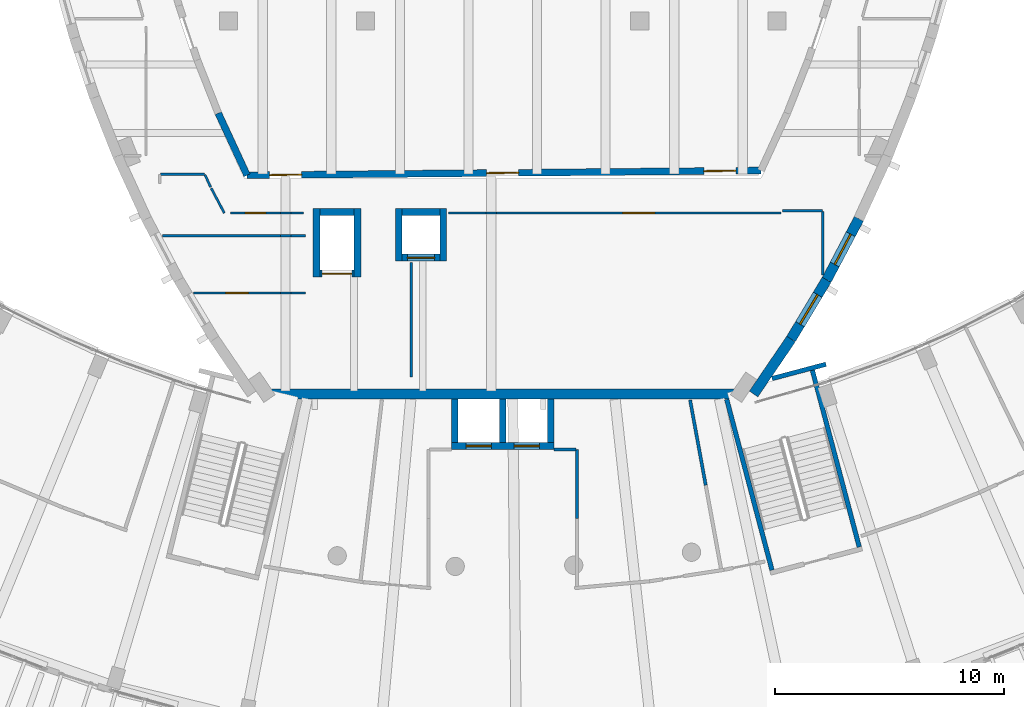
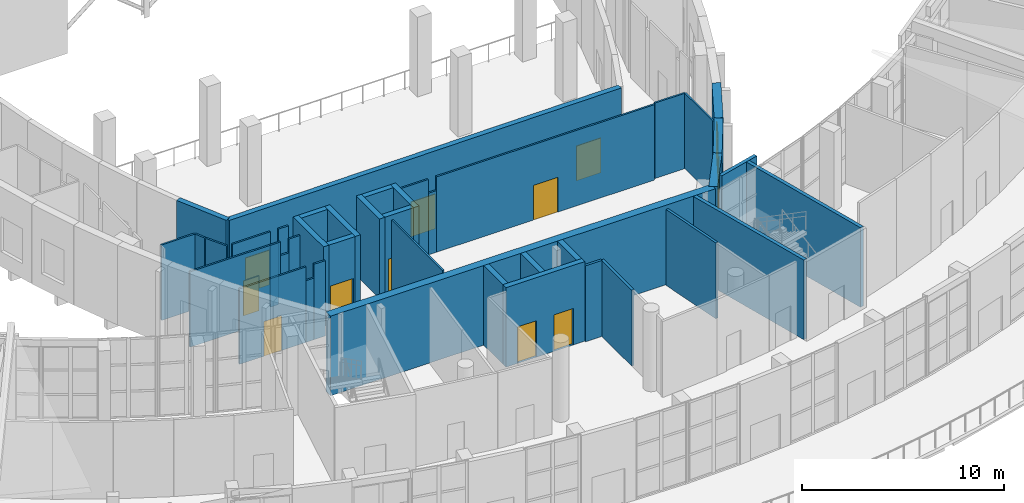
# One storey, part 58 of 93: 42 walls, 10 doors, 2 windows, 12 openings.
"""IFC4 building model written with IfcOpenShell, lengths in metres."""

from ifc_helpers import new_model, si_unit, direction, frame, frame_2d, origin, place, context, subcontext, project, spatial, rectangle, extrude, material, layer, layer_set, type_object, element, fill, save


model = new_model("IFC4")

# Units and contexts
model_context = context("Model", 3, precision=1e-05, world=origin(), true_north=direction((0.0, 1.0)))
body_context = subcontext(model_context, "Body", "Model", "MODEL_VIEW")
ifc_project = project(units=[si_unit("LENGTHUNIT", "METRE"), si_unit("AREAUNIT", "SQUARE_METRE"), si_unit("VOLUMEUNIT", "CUBIC_METRE"), si_unit("PLANEANGLEUNIT", "RADIAN"), si_unit("MASSUNIT", "GRAM", prefix="KILO")], contexts=[model_context])

# Site, building, storey
site_placement = place(None, origin())
site = spatial("IfcSite", under=ifc_project, at=site_placement, CompositionType="ELEMENT")
building_placement = place(site_placement, origin())
building = spatial("IfcBuilding", under=site, at=building_placement, Name="Tide Square Theatres", CompositionType="ELEMENT")
storey_placement = place(building_placement, frame((0.0, 0.0, 5.39990234375)))
storey = spatial("IfcBuildingStorey", under=building, at=storey_placement, Name="L01", CompositionType="ELEMENT", Elevation=5.39990234375)

# Walls
ifc_material_1 = material(Name="Gypsum board on steel studs", Category="steel")
ifc_layer_1 = layer(ifc_material_1, 0.10009765625)
ifc_layer_set_1 = layer_set([ifc_layer_1], Name="Gypsum board on steel studs")
wall_type_1 = type_object("IfcWallType", Name="Partition 100 thick", PredefinedType="PARTITIONING", material=ifc_layer_set_1)
wall_1_placement = place(storey_placement, frame((69.033203125, 33.199951171875, 0.0), z_axis=(0.0, 0.0, 1.0), x_axis=(1.0, 0.0, 0.0)))
element("IfcWall", 1, at=wall_1_placement, inside=storey, type_object=wall_type_1, Name="Partition", PredefinedType="PARTITIONING", context=body_context, shape_type="SweptSolid", body=[
    extrude(rectangle(XDim=1.9140625, YDim=0.10009765625, at=frame_2d((0.95703125, 0.0))), origin(), (0.0, 0.0, 1.0), 4.550048828125),
])
wall_2_placement = place(storey_placement, frame((75.3798828125, 30.5, 0.0), z_axis=(0.0, 0.0, 1.0), x_axis=(-1.0, 0.0, 0.0)))
element("IfcWall", 2, at=wall_2_placement, inside=storey, type_object=wall_type_1, Name="Partition", PredefinedType="PARTITIONING", context=body_context, shape_type="SweptSolid", body=[
    extrude(rectangle(XDim=0.64990234375, YDim=0.10009765625, at=frame_2d((0.324951171875, 0.0))), origin(), (0.0, 0.0, 1.0), 4.550048828125),
])
wall_3_placement = place(storey_placement, frame((74.72998046875, 30.5, 0.0), z_axis=(0.0, 0.0, 1.0), x_axis=(-1.0, 0.0, 0.0)))
element("IfcWall", 3, at=wall_3_placement, inside=storey, type_object=wall_type_1, Name="Partition", PredefinedType="PARTITIONING", context=body_context, shape_type="SweptSolid", body=[
    extrude(rectangle(XDim=0.4599609375, YDim=0.10009765625, at=frame_2d((0.22998046875, 0.0))), origin(), (0.0, 0.0, 1.0), 3.72021484375),
])
wall_4_placement = place(storey_placement, frame((74.27001953125, 30.5, 0.0), z_axis=(0.0, 0.0, 1.0), x_axis=(-1.0, 0.0, 0.0)))
element("IfcWall", 4, at=wall_4_placement, inside=storey, type_object=wall_type_1, Name="Partition", PredefinedType="PARTITIONING", context=body_context, shape_type="SweptSolid", body=[
    extrude(rectangle(XDim=5.160888671875, YDim=0.10009765625, at=frame_2d((2.58056640625, 0.0))), origin(), (0.0, 0.0, 1.0), 4.550048828125),
])
wall_5_placement = place(storey_placement, frame((75.376953125, 28.0, 0.0), z_axis=(0.0, 0.0, 1.0), x_axis=(-1.0, 0.0, 0.0)))
element("IfcWall", 5, at=wall_5_placement, inside=storey, type_object=wall_type_1, Name="Partition", PredefinedType="PARTITIONING", context=body_context, shape_type="SweptSolid", body=[
    extrude(rectangle(XDim=0.64697265625, YDim=0.10009765625, at=frame_2d((0.323486328125, 0.0))), origin(), (0.0, 0.0, 1.0), 4.550048828125),
])
wall_6_placement = place(storey_placement, frame((74.72998046875, 28.0, 0.0), z_axis=(0.0, 0.0, 1.0), x_axis=(-1.0, 0.0, 0.0)))
element("IfcWall", 6, at=wall_6_placement, inside=storey, type_object=wall_type_1, Name="Partition", PredefinedType="PARTITIONING", context=body_context, shape_type="SweptSolid", body=[
    extrude(rectangle(XDim=0.4599609375, YDim=0.10009765625, at=frame_2d((0.22998046875, 0.0))), origin(), (0.0, 0.0, 1.0), 3.72021484375),
])

# Wall, opening, door
wall_7_placement = place(storey_placement, frame((74.27001953125, 28.0, 0.0), z_axis=(0.0, 0.0, 1.0), x_axis=(-1.0, 0.0, 0.0)))
wall_7 = element("IfcWall", 7, at=wall_7_placement, inside=storey, type_object=wall_type_1, Name="Partition", PredefinedType="PARTITIONING", context=body_context, shape_type="SweptSolid", body=[
    extrude(rectangle(XDim=3.790771484375, YDim=0.10009765625, at=frame_2d((1.8955078125, 0.0))), origin(), (0.0, 0.0, 1.0), 4.550048828125),
])
opening_1_placement = place(wall_7_placement, frame((1.395263671875, 0.0, 0.0)))
opening_1 = element("IfcOpeningElement", 8, at=opening_1_placement, cuts=wall_7, Name="Opening M01-11", PredefinedType="OPENING", context=body_context, shape_type="SweptSolid", body=[
    extrude(rectangle(XDim=1.0, YDim=2.10009765625, at=frame_2d((0.5, 1.050048828125))), frame((0.0, 0.06005859375, 0.0), z_axis=(0.0, -1.0, 0.0), x_axis=(1.0, 0.0, 0.0)), (0.0, 0.0, 1.0), 0.1201171875),
])
ifc_material_2 = material(Name="Hardwood timber", Category="wood")
door_type_1 = type_object("IfcDoorType", Name="Door 1000 x 2100 single leaf", OperationType="NOTDEFINED", PredefinedType="DOOR", material=ifc_material_2)
door_1_placement = place(opening_1_placement, frame((1.0, 0.0, 0.0), z_axis=(0.0, 0.0, 1.0), x_axis=(-1.0, 0.0, 0.0)))
door_1 = element("IfcDoor", 9, at=door_1_placement, inside=storey, type_object=door_type_1, Name="Accessible Toilet Dress Circle door", OperationType="SINGLE_SWING_LEFT", OverallHeight=2.10009765625, OverallWidth=1.0, PredefinedType="DOOR", context=body_context, shape_type="SweptSolid", body=[
    extrude(rectangle(XDim=1.0, YDim=2.10009765625, at=frame_2d((0.5, 1.050048828125))), frame((0.0, 0.02490234375, 0.0), z_axis=(0.0, -1.0, 0.0), x_axis=(1.0, 0.0, 0.0)), (0.0, 0.0, 1.0), 0.050048828125),
])
fill(opening_1, door_1)

# Walls
wall_8_placement = place(storey_placement, frame((70.97412109375, 33.176513671875, 0.0), z_axis=(0.0, 0.0, 1.0), x_axis=(0.416055955945, -0.909339013527, 0.0)))
element("IfcWall", 10, at=wall_8_placement, inside=storey, type_object=wall_type_1, Name="Partition", PredefinedType="PARTITIONING", context=body_context, shape_type="SweptSolid", body=[
    extrude(rectangle(XDim=0.603759765625, YDim=0.10009765625, at=frame_2d((0.3017578125, 0.0))), origin(), (0.0, 0.0, 1.0), 4.550048828125),
])
wall_9_placement = place(storey_placement, frame((71.248779296875, 32.582763671875, 0.0), z_axis=(0.0, 0.0, 1.0), x_axis=(0.466970962101, -0.884272650575, 0.0)))
element("IfcWall", 11, at=wall_9_placement, inside=storey, type_object=wall_type_1, Name="Partition", PredefinedType="PARTITIONING", context=body_context, shape_type="SweptSolid", body=[
    extrude(rectangle(XDim=1.223876953125, YDim=0.10009765625, at=frame_2d((0.61181640625, 0.0))), origin(), (0.0, 0.0, 1.0), 4.550048828125),
])

# Wall, opening, door
wall_10_placement = place(storey_placement, frame((72.098388671875, 31.5, 0.0), z_axis=(0.0, 0.0, 1.0), x_axis=(1.0, 0.0, 0.0)))
wall_10 = element("IfcWall", 12, at=wall_10_placement, inside=storey, type_object=wall_type_1, Name="Partition", PredefinedType="PARTITIONING", context=body_context, shape_type="SweptSolid", body=[
    extrude(rectangle(XDim=2.171630859375, YDim=0.10009765625, at=frame_2d((1.0859375, 0.0))), origin(), (0.0, 0.0, 1.0), 4.550048828125),
])
opening_2_placement = place(wall_10_placement, frame((0.6357421875, 0.0, 0.0)))
opening_2 = element("IfcOpeningElement", 13, at=opening_2_placement, cuts=wall_10, Name="Opening M01-10", PredefinedType="OPENING", context=body_context, shape_type="SweptSolid", body=[
    extrude(rectangle(XDim=0.89990234375, YDim=2.10009765625, at=frame_2d((0.449951171875, 1.050048828125))), frame((0.0, 0.06005859375, 0.0), z_axis=(0.0, -1.0, 0.0), x_axis=(1.0, 0.0, 0.0)), (0.0, 0.0, 1.0), 0.1201171875),
])
ifc_material_3 = material(Name="Hardwood timber", Category="wood")
door_type_2 = type_object("IfcDoorType", Name="Door 900 x 2100 single leaf", OperationType="NOTDEFINED", PredefinedType="DOOR", material=ifc_material_3)
door_2_placement = place(opening_2_placement, frame((0.89990234375, 0.0, 0.0), z_axis=(0.0, 0.0, 1.0), x_axis=(-1.0, 0.0, 0.0)))
door_2 = element("IfcDoor", 14, at=door_2_placement, inside=storey, type_object=door_type_2, Name="Women's Toilets Dress Circle door", OperationType="SINGLE_SWING_LEFT", OverallHeight=2.10009765625, OverallWidth=0.89990234375, PredefinedType="DOOR", context=body_context, shape_type="SweptSolid", body=[
    extrude(rectangle(XDim=0.89990234375, YDim=2.10009765625, at=frame_2d((0.449951171875, 1.050048828125))), frame((0.0, 0.02490234375, 0.0), z_axis=(0.0, -1.0, 0.0), x_axis=(1.0, 0.0, 0.0)), (0.0, 0.0, 1.0), 0.050048828125),
])
fill(opening_2, door_2)

# Walls
wall_11_placement = place(storey_placement, frame((74.27001953125, 31.5, 0.0), z_axis=(0.0, 0.0, 1.0), x_axis=(1.0, 0.0, 0.0)))
element("IfcWall", 15, at=wall_11_placement, inside=storey, type_object=wall_type_1, Name="Partition", PredefinedType="PARTITIONING", context=body_context, shape_type="SweptSolid", body=[
    extrude(rectangle(XDim=0.4599609375, YDim=0.10009765625, at=frame_2d((0.22998046875, 0.0))), origin(), (0.0, 0.0, 1.0), 3.72021484375),
])
wall_12_placement = place(storey_placement, frame((74.72998046875, 31.5, 0.0), z_axis=(0.0, 0.0, 1.0), x_axis=(1.0, 0.0, 0.0)))
element("IfcWall", 16, at=wall_12_placement, inside=storey, type_object=wall_type_1, Name="Partition", PredefinedType="PARTITIONING", context=body_context, shape_type="SweptSolid", body=[
    extrude(rectangle(XDim=0.557861328125, YDim=0.10009765625, at=frame_2d((0.27880859375, 0.0))), origin(), (0.0, 0.0, 1.0), 4.550048828125),
])
wall_13_placement = place(storey_placement, frame((80.0, 24.317626953125, 0.0), z_axis=(0.0, 0.0, 1.0), x_axis=(0.0, 1.0, 0.0)))
element("IfcWall", 17, at=wall_13_placement, inside=storey, type_object=wall_type_1, Name="Partition", PredefinedType="PARTITIONING", context=body_context, shape_type="SweptSolid", body=[
    extrude(rectangle(XDim=5.012451171875, YDim=0.10009765625, at=frame_2d((2.50634765625, 0.0))), origin(), (0.0, 0.0, 1.0), 4.550048828125),
])
wall_14_placement = place(storey_placement, frame((81.6201171875, 31.5, 0.0), z_axis=(0.0, 0.0, 1.0), x_axis=(1.0, 0.0, 0.0)))
element("IfcWall", 18, at=wall_14_placement, inside=storey, type_object=wall_type_1, Name="Partition", PredefinedType="PARTITIONING", context=body_context, shape_type="SweptSolid", body=[
    extrude(rectangle(XDim=1.64990234375, YDim=0.10009765625, at=frame_2d((0.824951171875, 0.0))), origin(), (0.0, 0.0, 1.0), 4.550048828125),
])
wall_15_placement = place(storey_placement, frame((83.27001953125, 31.5, 0.0), z_axis=(0.0, 0.0, 1.0), x_axis=(1.0, 0.0, 0.0)))
element("IfcWall", 19, at=wall_15_placement, inside=storey, type_object=wall_type_1, Name="Partition", PredefinedType="PARTITIONING", context=body_context, shape_type="SweptSolid", body=[
    extrude(rectangle(XDim=0.4599609375, YDim=0.10009765625, at=frame_2d((0.22998046875, 0.0))), origin(), (0.0, 0.0, 1.0), 3.72021484375),
])

# Wall, opening, door
wall_16_placement = place(storey_placement, frame((83.72998046875, 31.5, 0.0), z_axis=(0.0, 0.0, 1.0), x_axis=(1.0, 0.0, 0.0)))
wall_16 = element("IfcWall", 20, at=wall_16_placement, inside=storey, type_object=wall_type_1, Name="Partition", PredefinedType="PARTITIONING", context=body_context, shape_type="SweptSolid", body=[
    extrude(rectangle(XDim=12.44921875, YDim=0.10009765625, at=frame_2d((6.224609375, 0.0))), origin(), (0.0, 0.0, 1.0), 4.550048828125),
])
opening_3_placement = place(wall_16_placement, frame((5.524658203125, 0.0, 0.0)))
opening_3 = element("IfcOpeningElement", 21, at=opening_3_placement, cuts=wall_16, Name="Opening M01-09", PredefinedType="OPENING", context=body_context, shape_type="SweptSolid", body=[
    extrude(rectangle(XDim=1.39990234375, YDim=2.10009765625, at=frame_2d((0.699951171875, 1.050048828125))), frame((0.0, 0.06005859375, 0.0), z_axis=(0.0, -1.0, 0.0), x_axis=(1.0, 0.0, 0.0)), (0.0, 0.0, 1.0), 0.1201171875),
])
ifc_material_4 = material(Name="Hardwood timber", Category="wood")
door_type_3 = type_object("IfcDoorType", Name="Door 1400 x 2100 double leaf", OperationType="DOUBLE_DOOR_SINGLE_SWING", PredefinedType="DOOR", material=ifc_material_4)
door_3_placement = place(opening_3_placement, origin())
door_3 = element("IfcDoor", 22, at=door_3_placement, inside=storey, type_object=door_type_3, Name="Dress Circle Bar door", OperationType="DOUBLE_DOOR_SINGLE_SWING", OverallHeight=2.10009765625, OverallWidth=1.39990234375, PredefinedType="DOOR", context=body_context, shape_type="SweptSolid", body=[
    extrude(rectangle(XDim=1.39990234375, YDim=2.10009765625, at=frame_2d((0.699951171875, 1.050048828125))), frame((0.0, 0.02490234375, 0.0), z_axis=(0.0, -1.0, 0.0), x_axis=(1.0, 0.0, 0.0)), (0.0, 0.0, 1.0), 0.050048828125),
])
fill(opening_3, door_3)

# Walls
wall_17_placement = place(storey_placement, frame((96.24755859375, 31.60009765625, 0.0), z_axis=(0.0, 0.0, 1.0), x_axis=(1.0, 0.0, 0.0)))
element("IfcWall", 23, at=wall_17_placement, inside=storey, type_object=wall_type_1, Name="Partition", PredefinedType="PARTITIONING", context=body_context, shape_type="SweptSolid", body=[
    extrude(rectangle(XDim=1.729248046875, YDim=0.10009765625, at=frame_2d((0.86474609375, 0.0))), origin(), (0.0, 0.0, 1.0), 4.550048828125),
])
wall_18_placement = place(storey_placement, frame((98.0, 31.56689453125, 0.0), z_axis=(0.0, 0.0, 1.0), x_axis=(0.0, -1.0, 0.0)))
element("IfcWall", 24, at=wall_18_placement, inside=storey, type_object=wall_type_1, Name="Partition", PredefinedType="PARTITIONING", context=body_context, shape_type="SweptSolid", body=[
    extrude(rectangle(XDim=2.770751953125, YDim=0.10009765625, at=frame_2d((1.38525390625, 0.0))), origin(), (0.0, 0.0, 1.0), 4.550048828125),
])
ifc_material_5 = material(Name="Concrete masonry block", Category="masonry")
ifc_layer_2 = layer(ifc_material_5, 0.139892578125)
ifc_layer_set_2 = layer_set([ifc_layer_2], Name="Concrete masonry block")
wall_type_2 = type_object("IfcWallType", Name="Partition 140 thick", PredefinedType="PARTITIONING", material=ifc_layer_set_2)
wall_19_placement = place(storey_placement, frame((92.1962890625, 23.317626953125, 0.0), z_axis=(0.0, 0.0, 1.0), x_axis=(0.180428728445, -0.983588061107, 0.0)))
element("IfcWall", 25, at=wall_19_placement, inside=storey, type_object=wall_type_2, Name="Foyer room partition", PredefinedType="PARTITIONING", context=body_context, shape_type="SweptSolid", body=[
    extrude(rectangle(XDim=3.7861328125, YDim=0.139892578125, at=frame_2d((1.89306640625, 0.0))), origin(), (0.0, 0.0, 1.0), 4.580078125),
])
wall_20_placement = place(storey_placement, frame((87.25, 18.13037109375, 0.0), z_axis=(0.0, 0.0, 1.0), x_axis=(0.0, 1.0, 0.0)))
element("IfcWall", 26, at=wall_20_placement, inside=storey, type_object=wall_type_2, Name="Foyer room partition", PredefinedType="PARTITIONING", context=body_context, shape_type="SweptSolid", body=[
    extrude(rectangle(XDim=3.02734375, YDim=0.139892578125, at=frame_2d((1.513671875, 0.0))), origin(), (0.0, 0.0, 1.0), 4.580078125),
])
wall_21_placement = place(storey_placement, frame((86.25, 21.15771484375, 0.0), z_axis=(0.0, 0.0, 1.0), x_axis=(1.0, 0.0, 0.0)))
element("IfcWall", 27, at=wall_21_placement, inside=storey, type_object=wall_type_2, Name="Foyer room partition", PredefinedType="PARTITIONING", context=body_context, shape_type="SweptSolid", body=[
    extrude(rectangle(XDim=0.949951171875, YDim=0.139892578125, at=frame_2d((0.47509765625, 0.0))), origin(), (0.0, 0.0, 1.0), 4.580078125),
])
ifc_material_6 = material(Name="Concrete C40", Category="concrete")
ifc_layer_3 = layer(ifc_material_6, 0.449951171875)
ifc_layer_set_3 = layer_set([ifc_layer_3], Name="Concrete C40")
wall_type_3 = type_object("IfcWallType", Name="RC curved wall 450 thick", PredefinedType="SOLIDWALL", material=ifc_layer_set_3)
wall_22_placement = place(storey_placement, frame((94.97412109375, 23.58251953125, 0.0), z_axis=(0.0, 0.0, 1.0), x_axis=(0.5629642644, 0.826481238147, 0.0)))
element("IfcWall", 28, at=wall_22_placement, inside=storey, type_object=wall_type_3, Name="Main Theatre perimeter wall", PredefinedType="SOLIDWALL", context=body_context, shape_type="SweptSolid", body=[
    extrude(rectangle(XDim=2.908203125, YDim=0.449951171875, at=frame_2d((1.4541015625, 0.0))), origin(), (0.0, 0.0, 1.0), 4.800048828125),
])

# Wall, opening, window
wall_23_placement = place(storey_placement, frame((96.611328125, 25.986083984375, 0.0), z_axis=(0.0, 0.0, 1.0), x_axis=(0.515636119523, 0.856807675177, 0.0)))
wall_23 = element("IfcWall", 29, at=wall_23_placement, inside=storey, type_object=wall_type_3, Name="Main Theatre perimeter wall", PredefinedType="SOLIDWALL", context=body_context, shape_type="SweptSolid", body=[
    extrude(rectangle(XDim=3.021240234375, YDim=0.449951171875, at=frame_2d((1.5107421875, 0.0))), origin(), (0.0, 0.0, 1.0), 4.800048828125),
])
opening_4_placement = place(wall_23_placement, frame((0.760498046875, 0.0, 0.89990234375)))
opening_4 = element("IfcOpeningElement", 30, at=opening_4_placement, cuts=wall_23, Name="Opening WN-01", PredefinedType="OPENING", context=body_context, shape_type="SweptSolid", body=[
    extrude(rectangle(XDim=1.5, YDim=2.10009765625, at=frame_2d((0.75, 1.050048828125))), frame((0.0, 0.23486328125, 0.0), z_axis=(0.0, -1.0, 0.0), x_axis=(1.0, 0.0, 0.0)), (0.0, 0.0, 1.0), 0.469970703125),
])
ifc_material_7 = material(Name="Aluminium with laminated glass", Category="aluminium")
window_type = type_object("IfcWindowType", Name="Window 1500 x 2100", PartitioningType="SINGLE_PANEL", PredefinedType="WINDOW", material=ifc_material_7)
window_1_placement = place(opening_4_placement, origin())
window_1 = element("IfcWindow", 31, at=window_1_placement, inside=storey, type_object=window_type, Name="Main Theatre window", OverallHeight=2.10009765625, OverallWidth=1.5, PartitioningType="SINGLE_PANEL", PredefinedType="WINDOW", context=body_context, shape_type="SweptSolid", body=[
    extrude(rectangle(XDim=1.5, YDim=2.10009765625, at=frame_2d((0.75, 1.050048828125))), frame((0.0, 0.030029296875, 0.0), z_axis=(0.0, -1.0, 0.0), x_axis=(1.0, 0.0, 0.0)), (0.0, 0.0, 1.0), 0.06005859375),
])
fill(opening_4, window_1)

wall_24_placement = place(storey_placement, frame((98.169189453125, 28.57470703125, 0.0), z_axis=(0.0, 0.0, 1.0), x_axis=(0.466728769487, 0.884400506407, 0.0)))
wall_24 = element("IfcWall", 32, at=wall_24_placement, inside=storey, type_object=wall_type_3, Name="Main Theatre perimeter wall", PredefinedType="SOLIDWALL", context=body_context, shape_type="SweptSolid", body=[
    extrude(rectangle(XDim=3.020751953125, YDim=0.449951171875, at=frame_2d((1.51025390625, 0.0))), origin(), (0.0, 0.0, 1.0), 4.800048828125),
])
opening_5_placement = place(wall_24_placement, frame((0.760498046875, 0.0, 0.89990234375)))
opening_5 = element("IfcOpeningElement", 33, at=opening_5_placement, cuts=wall_24, Name="Opening WN-01", PredefinedType="OPENING", context=body_context, shape_type="SweptSolid", body=[
    extrude(rectangle(XDim=1.5, YDim=2.10009765625, at=frame_2d((0.75, 1.050048828125))), frame((0.0, 0.23486328125, 0.0), z_axis=(0.0, -1.0, 0.0), x_axis=(1.0, 0.0, 0.0)), (0.0, 0.0, 1.0), 0.469970703125),
])
window_2_placement = place(opening_5_placement, origin())
window_2 = element("IfcWindow", 34, at=window_2_placement, inside=storey, type_object=window_type, Name="Main Theatre window", OverallHeight=2.10009765625, OverallWidth=1.5, PartitioningType="SINGLE_PANEL", PredefinedType="WINDOW", context=body_context, shape_type="SweptSolid", body=[
    extrude(rectangle(XDim=1.5, YDim=2.10009765625, at=frame_2d((0.75, 1.050048828125))), frame((0.0, 0.030029296875, 0.0), z_axis=(0.0, -1.0, 0.0), x_axis=(1.0, 0.0, 0.0)), (0.0, 0.0, 1.0), 0.06005859375),
])
fill(opening_5, window_2)

# Walls
wall_25_placement = place(storey_placement, frame((73.02587890625, 23.58251953125, 0.0), z_axis=(0.0, 0.0, 1.0), x_axis=(1.0, 0.0, 0.0)))
element("IfcWall", 35, at=wall_25_placement, inside=storey, type_object=wall_type_3, Name="Main Theatre perimeter wall", PredefinedType="SOLIDWALL", context=body_context, shape_type="SweptSolid", body=[
    extrude(rectangle(XDim=21.9482421875, YDim=0.449951171875, at=frame_2d((10.97412109375, 0.0))), origin(), (0.0, 0.0, 1.0), 4.800048828125),
])
ifc_material_8 = material(Name="Concrete C40", Category="concrete")
ifc_layer_4 = layer(ifc_material_8, 0.199951171875)
ifc_layer_set_4 = layer_set([ifc_layer_4], Name="Concrete C40")
wall_type_4 = type_object("IfcWallType", Name="RC shear wall 200 thick", PredefinedType="SHEAR", material=ifc_layer_set_4)
wall_26_placement = place(storey_placement, frame((98.138427734375, 24.883544921875, 0.0), z_axis=(0.0, 0.0, 1.0), x_axis=(-0.966582812495, -0.256354572009, 0.0)))
element("IfcWall", 36, at=wall_26_placement, inside=storey, type_object=wall_type_4, Name="Exit stair F4 wall", PredefinedType="SHEAR", context=body_context, shape_type="SweptSolid", body=[
    extrude(rectangle(XDim=2.43994140625, YDim=0.199951171875, at=frame_2d((1.219970703125, 0.0))), origin(), (0.0, 0.0, 1.0), 4.800048828125),
])
wall_27_placement = place(storey_placement, frame((99.59619140625, 16.89013671875, 0.0), z_axis=(0.0, 0.0, 1.0), x_axis=(-0.25631948932, 0.966592116352, 0.0)))
element("IfcWall", 37, at=wall_27_placement, inside=storey, type_object=wall_type_4, Name="Exit stair F4 wall", PredefinedType="SHEAR", context=body_context, shape_type="SweptSolid", body=[
    extrude(rectangle(XDim=8.0, YDim=0.199951171875, at=frame_2d((4.0, 0.0))), origin(), (0.0, 0.0, 1.0), 4.800048828125),
])
wall_28_placement = place(storey_placement, frame((95.778076171875, 15.877685546875, 0.0), z_axis=(0.0, 0.0, 1.0), x_axis=(-0.256333531377, 0.966588392591, 0.0)))
element("IfcWall", 38, at=wall_28_placement, inside=storey, type_object=wall_type_4, Name="Exit stair F4 wall", PredefinedType="SHEAR", context=body_context, shape_type="SweptSolid", body=[
    extrude(rectangle(XDim=7.72998046875, YDim=0.199951171875, at=frame_2d((3.864990234375, 0.0))), origin(), (0.0, 0.0, 1.0), 4.800048828125),
])
ifc_material_9 = material(Name="Concrete C40", Category="concrete")
ifc_layer_5 = layer(ifc_material_9, 0.300048828125)
ifc_layer_set_5 = layer_set([ifc_layer_5], Name="Concrete C40")
wall_type_5 = type_object("IfcWallType", Name="RC shear wall 300 thick", PredefinedType="SHEAR", material=ifc_layer_set_5)
wall_29_placement = place(storey_placement, frame((71.5576171875, 35.86474609375, 0.0), z_axis=(0.0, 0.0, 1.0), x_axis=(0.420315192535, -0.907378167538, 0.0)))
element("IfcWall", 39, at=wall_29_placement, inside=storey, type_object=wall_type_5, Name="Main Theatre auditorium wall", PredefinedType="SHEAR", context=body_context, shape_type="SweptSolid", body=[
    extrude(rectangle(XDim=2.991943359375, YDim=0.300048828125, at=frame_2d((1.49609375, 0.0))), origin(), (0.0, 0.0, 1.0), 4.800048828125),
])

# Wall, openings, doors
wall_30_placement = place(storey_placement, frame((72.815185546875, 33.14990234375, 0.0), z_axis=(0.0, 0.0, 1.0), x_axis=(0.999957788763, 0.009188073348, 0.0)))
wall_30 = element("IfcWall", 40, at=wall_30_placement, inside=storey, type_object=wall_type_5, Name="Main Theatre auditorium wall", PredefinedType="SHEAR", context=body_context, shape_type="SweptSolid", body=[
    extrude(rectangle(XDim=22.4794921875, YDim=0.300048828125, at=frame_2d((11.23974609375, 0.0))), origin(), (0.0, 0.0, 1.0), 4.800048828125),
])
opening_6_placement = place(wall_30_placement, frame((0.984619140625, 0.0, 0.0)))
opening_6 = element("IfcOpeningElement", 41, at=opening_6_placement, cuts=wall_30, Name="Opening M01-22", PredefinedType="OPENING", context=body_context, shape_type="SweptSolid", body=[
    extrude(rectangle(XDim=1.39990234375, YDim=2.10009765625, at=frame_2d((0.699951171875, 1.050048828125))), frame((0.0, 0.159912109375, 0.0), z_axis=(0.0, -1.0, 0.0), x_axis=(1.0, 0.0, 0.0)), (0.0, 0.0, 1.0), 0.320068359375),
])
opening_7_placement = place(wall_30_placement, frame((10.484619140625, 0.0, 0.0)))
opening_7 = element("IfcOpeningElement", 42, at=opening_7_placement, cuts=wall_30, Name="Opening M01-23", PredefinedType="OPENING", context=body_context, shape_type="SweptSolid", body=[
    extrude(rectangle(XDim=1.39990234375, YDim=2.10009765625, at=frame_2d((0.699951171875, 1.050048828125))), frame((0.0, 0.159912109375, 0.0), z_axis=(0.0, -1.0, 0.0), x_axis=(1.0, 0.0, 0.0)), (0.0, 0.0, 1.0), 0.320068359375),
])
opening_8_placement = place(wall_30_placement, frame((19.984619140625, 0.0, 0.0)))
opening_8 = element("IfcOpeningElement", 43, at=opening_8_placement, cuts=wall_30, Name="Opening M01-24", PredefinedType="OPENING", context=body_context, shape_type="SweptSolid", body=[
    extrude(rectangle(XDim=1.39990234375, YDim=2.10009765625, at=frame_2d((0.699951171875, 1.050048828125))), frame((0.0, 0.159912109375, 0.0), z_axis=(0.0, -1.0, 0.0), x_axis=(1.0, 0.0, 0.0)), (0.0, 0.0, 1.0), 0.320068359375),
])
door_4_placement = place(opening_6_placement, origin())
door_4 = element("IfcDoor", 44, at=door_4_placement, inside=storey, type_object=door_type_3, Name="Auditorium entrance pair", OperationType="DOUBLE_DOOR_SINGLE_SWING", OverallHeight=2.10009765625, OverallWidth=1.39990234375, PredefinedType="DOOR", context=body_context, shape_type="SweptSolid", body=[
    extrude(rectangle(XDim=1.39990234375, YDim=2.10009765625, at=frame_2d((0.699951171875, 1.050048828125))), frame((0.0, 0.02490234375, 0.0), z_axis=(0.0, -1.0, 0.0), x_axis=(1.0, 0.0, 0.0)), (0.0, 0.0, 1.0), 0.050048828125),
])
fill(opening_6, door_4)
door_5_placement = place(opening_7_placement, origin())
door_5 = element("IfcDoor", 45, at=door_5_placement, inside=storey, type_object=door_type_3, Name="Auditorium entrance pair", OperationType="DOUBLE_DOOR_SINGLE_SWING", OverallHeight=2.10009765625, OverallWidth=1.39990234375, PredefinedType="DOOR", context=body_context, shape_type="SweptSolid", body=[
    extrude(rectangle(XDim=1.39990234375, YDim=2.10009765625, at=frame_2d((0.699951171875, 1.050048828125))), frame((0.0, 0.02490234375, 0.0), z_axis=(0.0, -1.0, 0.0), x_axis=(1.0, 0.0, 0.0)), (0.0, 0.0, 1.0), 0.050048828125),
])
fill(opening_7, door_5)
door_6_placement = place(opening_8_placement, origin())
door_6 = element("IfcDoor", 46, at=door_6_placement, inside=storey, type_object=door_type_3, Name="Auditorium entrance pair", OperationType="DOUBLE_DOOR_SINGLE_SWING", OverallHeight=2.10009765625, OverallWidth=1.39990234375, PredefinedType="DOOR", context=body_context, shape_type="SweptSolid", body=[
    extrude(rectangle(XDim=1.39990234375, YDim=2.10009765625, at=frame_2d((0.699951171875, 1.050048828125))), frame((0.0, 0.02490234375, 0.0), z_axis=(0.0, -1.0, 0.0), x_axis=(1.0, 0.0, 0.0)), (0.0, 0.0, 1.0), 0.050048828125),
])
fill(opening_8, door_6)

# Wall, opening, door
wall_31_placement = place(storey_placement, frame((76.0, 28.85009765625, 0.0), z_axis=(0.0, 0.0, 1.0), x_axis=(1.0, 0.0, 0.0)))
wall_31 = element("IfcWall", 47, at=wall_31_placement, inside=storey, type_object=wall_type_5, Name="Main Theatre lift 1 shaft wall", PredefinedType="SHEAR", context=body_context, shape_type="SweptSolid", body=[
    extrude(rectangle(XDim=1.5, YDim=0.300048828125, at=frame_2d((0.75, 0.0))), origin(), (0.0, 0.0, 1.0), 4.800048828125),
])
opening_9_placement = place(wall_31_placement, frame((0.10009765625, 0.0, 0.0)))
opening_9 = element("IfcOpeningElement", 48, at=opening_9_placement, cuts=wall_31, Name="Opening LD-M1-1", PredefinedType="OPENING", context=body_context, shape_type="SweptSolid", body=[
    extrude(rectangle(XDim=1.300048828125, YDim=2.300048828125, at=frame_2d((0.64990234375, 1.14990234375))), frame((0.0, 0.159912109375, 0.0), z_axis=(0.0, -1.0, 0.0), x_axis=(1.0, 0.0, 0.0)), (0.0, 0.0, 1.0), 0.320068359375),
])
ifc_material_10 = material(Name="Painted steel", Category="steel")
door_type_4 = type_object("IfcDoorType", Name="Door 1300 x 2300 sliding", OperationType="SLIDING_TO_LEFT", PredefinedType="DOOR", material=ifc_material_10)
door_7_placement = place(opening_9_placement, origin())
door_7 = element("IfcDoor", 49, at=door_7_placement, inside=storey, type_object=door_type_4, Name="Main Theatre Stretcher Lift landing door L01", OperationType="SLIDING_TO_LEFT", OverallHeight=2.300048828125, OverallWidth=1.300048828125, PredefinedType="DOOR", context=body_context, shape_type="SweptSolid", body=[
    extrude(rectangle(XDim=1.300048828125, YDim=2.300048828125, at=frame_2d((0.64990234375, 1.14990234375))), frame((0.0, 0.02490234375, 0.0), z_axis=(0.0, -1.0, 0.0), x_axis=(1.0, 0.0, 0.0)), (0.0, 0.0, 1.0), 0.050048828125),
])
fill(opening_9, door_7)

# Walls
wall_32_placement = place(storey_placement, frame((77.5, 31.550048828125, 0.0), z_axis=(0.0, 0.0, 1.0), x_axis=(-1.0, 0.0, 0.0)))
element("IfcWall", 50, at=wall_32_placement, inside=storey, type_object=wall_type_5, Name="Main Theatre lift 1 shaft wall", PredefinedType="SHEAR", context=body_context, shape_type="SweptSolid", body=[
    extrude(rectangle(XDim=1.5, YDim=0.300048828125, at=frame_2d((0.75, 0.0))), origin(), (0.0, 0.0, 1.0), 4.800048828125),
])
for number, where, z_axis, x_axis, name in (
    (51, (75.85009765625, 31.699951171875, 0.0), (0.0, 0.0, 1.0), (0.0, -1.0, 0.0), "Main Theatre lift 1 shaft wall"),
    (52, (77.64990234375, 28.699951171875, 0.0), (0.0, 0.0, 1.0), (0.0, 1.0, 0.0), "Main Theatre lift 1 shaft wall"),
):
    element("IfcWall", number, at=place(storey_placement, frame(where, z_axis=z_axis, x_axis=x_axis)), inside=storey, type_object=wall_type_5, Name=name, PredefinedType="SHEAR", context=body_context, shape_type="SweptSolid", body=[
        extrude(rectangle(XDim=3.0, YDim=0.300048828125, at=frame_2d((1.5, 0.0))), origin(), (0.0, 0.0, 1.0), 4.800048828125),
    ])

# Wall, opening, door
wall_33_placement = place(storey_placement, frame((79.60009765625, 29.550048828125, 0.0), z_axis=(0.0, 0.0, 1.0), x_axis=(1.0, 0.0, 0.0)))
wall_33 = element("IfcWall", 53, at=wall_33_placement, inside=storey, type_object=wall_type_5, Name="Main Theatre lift 2 shaft wall", PredefinedType="SHEAR", context=body_context, shape_type="SweptSolid", body=[
    extrude(rectangle(XDim=1.64990234375, YDim=0.300048828125, at=frame_2d((0.824951171875, 0.0))), origin(), (0.0, 0.0, 1.0), 4.800048828125),
])
opening_10_placement = place(wall_33_placement, frame((0.22509765625, 0.0, 0.0)))
opening_10 = element("IfcOpeningElement", 54, at=opening_10_placement, cuts=wall_33, Name="Opening LD-M2-1", PredefinedType="OPENING", context=body_context, shape_type="SweptSolid", body=[
    extrude(rectangle(XDim=1.199951171875, YDim=2.199951171875, at=frame_2d((0.60009765625, 1.10009765625))), frame((0.0, 0.159912109375, 0.0), z_axis=(0.0, -1.0, 0.0), x_axis=(1.0, 0.0, 0.0)), (0.0, 0.0, 1.0), 0.320068359375),
])
ifc_material_11 = material(Name="Painted steel", Category="steel")
door_type_5 = type_object("IfcDoorType", Name="Door 1200 x 2200 sliding", OperationType="SLIDING_TO_LEFT", PredefinedType="DOOR", material=ifc_material_11)
door_8_placement = place(opening_10_placement, origin())
door_8 = element("IfcDoor", 55, at=door_8_placement, inside=storey, type_object=door_type_5, Name="Main Theatre Passenger Lift landing door L01", OperationType="SLIDING_TO_LEFT", OverallHeight=2.199951171875, OverallWidth=1.199951171875, PredefinedType="DOOR", context=body_context, shape_type="SweptSolid", body=[
    extrude(rectangle(XDim=1.199951171875, YDim=2.199951171875, at=frame_2d((0.60009765625, 1.10009765625))), frame((0.0, 0.02490234375, 0.0), z_axis=(0.0, -1.0, 0.0), x_axis=(1.0, 0.0, 0.0)), (0.0, 0.0, 1.0), 0.050048828125),
])
fill(opening_10, door_8)

# Walls
wall_34_placement = place(storey_placement, frame((81.25, 31.550048828125, 0.0), z_axis=(0.0, 0.0, 1.0), x_axis=(-1.0, 0.0, 0.0)))
element("IfcWall", 56, at=wall_34_placement, inside=storey, type_object=wall_type_5, Name="Main Theatre lift 2 shaft wall", PredefinedType="SHEAR", context=body_context, shape_type="SweptSolid", body=[
    extrude(rectangle(XDim=1.64990234375, YDim=0.300048828125, at=frame_2d((0.824951171875, 0.0))), origin(), (0.0, 0.0, 1.0), 4.800048828125),
])
for number, where, z_axis, x_axis, name in (
    (57, (79.449951171875, 31.699951171875, 0.0), (0.0, 0.0, 1.0), (0.0, -1.0, 0.0), "Main Theatre lift 2 shaft wall"),
    (58, (81.39990234375, 29.39990234375, 0.0), (0.0, 0.0, 1.0), (0.0, 1.0, 0.0), "Main Theatre lift 2 shaft wall"),
):
    element("IfcWall", number, at=place(storey_placement, frame(where, z_axis=z_axis, x_axis=x_axis)), inside=storey, type_object=wall_type_5, Name=name, PredefinedType="SHEAR", context=body_context, shape_type="SweptSolid", body=[
        extrude(rectangle(XDim=2.300048828125, YDim=0.300048828125, at=frame_2d((1.14990234375, 0.0))), origin(), (0.0, 0.0, 1.0), 4.800048828125),
    ])
for number, where, z_axis, x_axis, name in (
    (59, (81.89990234375, 21.45751953125, 0.0), (0.0, 0.0, 1.0), (0.0, 1.0, 0.0), "Lift shaft wall"),
    (60, (84.0, 21.45751953125, 0.0), (0.0, 0.0, 1.0), (0.0, 1.0, 0.0), "Lift shaft wall"),
    (61, (86.10009765625, 21.45751953125, 0.0), (0.0, 0.0, 1.0), (0.0, 1.0, 0.0), "Lift shaft wall"),
):
    element("IfcWall", number, at=place(storey_placement, frame(where, z_axis=z_axis, x_axis=x_axis)), inside=storey, type_object=wall_type_5, Name=name, PredefinedType="SHEAR", context=body_context, shape_type="SweptSolid", body=[
        extrude(rectangle(XDim=1.900146484375, YDim=0.300048828125, at=frame_2d((0.9501953125, 0.0))), origin(), (0.0, 0.0, 1.0), 4.800048828125),
    ])

# Wall, openings, doors
wall_35_placement = place(storey_placement, frame((81.75, 21.3076171875, 0.0), z_axis=(0.0, 0.0, 1.0), x_axis=(1.0, 0.0, 0.0)))
wall_35 = element("IfcWall", 62, at=wall_35_placement, inside=storey, type_object=wall_type_5, Name="Lift shaft front wall", PredefinedType="SHEAR", context=body_context, shape_type="SweptSolid", body=[
    extrude(rectangle(XDim=4.5, YDim=0.300048828125, at=frame_2d((2.25, 0.0))), origin(), (0.0, 0.0, 1.0), 4.800048828125),
])
opening_11_placement = place(wall_35_placement, frame((0.64990234375, 0.0, 0.0)))
opening_11 = element("IfcOpeningElement", 63, at=opening_11_placement, cuts=wall_35, Name="Opening LD-L01-1", PredefinedType="OPENING", context=body_context, shape_type="SweptSolid", body=[
    extrude(rectangle(XDim=1.10009765625, YDim=2.199951171875, at=frame_2d((0.550048828125, 1.10009765625))), frame((0.0, 0.159912109375, 0.0), z_axis=(0.0, -1.0, 0.0), x_axis=(1.0, 0.0, 0.0)), (0.0, 0.0, 1.0), 0.320068359375),
])
opening_12_placement = place(wall_35_placement, frame((2.75, 0.0, 0.0)))
opening_12 = element("IfcOpeningElement", 64, at=opening_12_placement, cuts=wall_35, Name="Opening LD-L01-2", PredefinedType="OPENING", context=body_context, shape_type="SweptSolid", body=[
    extrude(rectangle(XDim=1.10009765625, YDim=2.199951171875, at=frame_2d((0.550048828125, 1.10009765625))), frame((0.0, 0.159912109375, 0.0), z_axis=(0.0, -1.0, 0.0), x_axis=(1.0, 0.0, 0.0)), (0.0, 0.0, 1.0), 0.320068359375),
])
ifc_material_12 = material(Name="Painted steel", Category="steel")
door_type_6 = type_object("IfcDoorType", Name="Door 1100 x 2200 sliding", OperationType="SLIDING_TO_LEFT", PredefinedType="DOOR", material=ifc_material_12)
door_9_placement = place(opening_11_placement, origin())
door_9 = element("IfcDoor", 65, at=door_9_placement, inside=storey, type_object=door_type_6, Name="Lift 1 landing door", OperationType="SLIDING_TO_LEFT", OverallHeight=2.199951171875, OverallWidth=1.10009765625, PredefinedType="DOOR", context=body_context, shape_type="SweptSolid", body=[
    extrude(rectangle(XDim=1.10009765625, YDim=2.199951171875, at=frame_2d((0.550048828125, 1.10009765625))), frame((0.0, 0.02490234375, 0.0), z_axis=(0.0, -1.0, 0.0), x_axis=(1.0, 0.0, 0.0)), (0.0, 0.0, 1.0), 0.050048828125),
])
fill(opening_11, door_9)
door_10_placement = place(opening_12_placement, origin())
door_10 = element("IfcDoor", 66, at=door_10_placement, inside=storey, type_object=door_type_6, Name="Lift 2 landing door", OperationType="SLIDING_TO_LEFT", OverallHeight=2.199951171875, OverallWidth=1.10009765625, PredefinedType="DOOR", context=body_context, shape_type="SweptSolid", body=[
    extrude(rectangle(XDim=1.10009765625, YDim=2.199951171875, at=frame_2d((0.550048828125, 1.10009765625))), frame((0.0, 0.02490234375, 0.0), z_axis=(0.0, -1.0, 0.0), x_axis=(1.0, 0.0, 0.0)), (0.0, 0.0, 1.0), 0.050048828125),
])
fill(opening_12, door_10)

save(model, "model.ifc")
